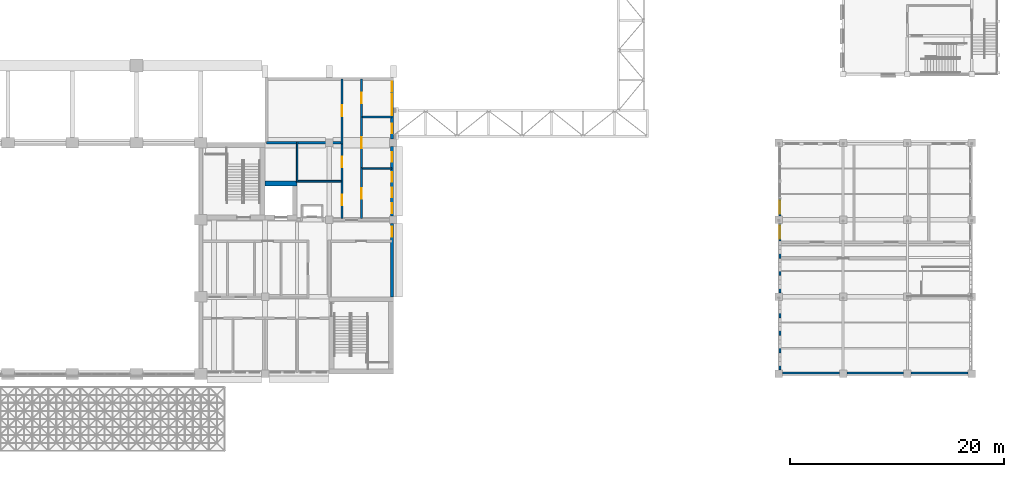
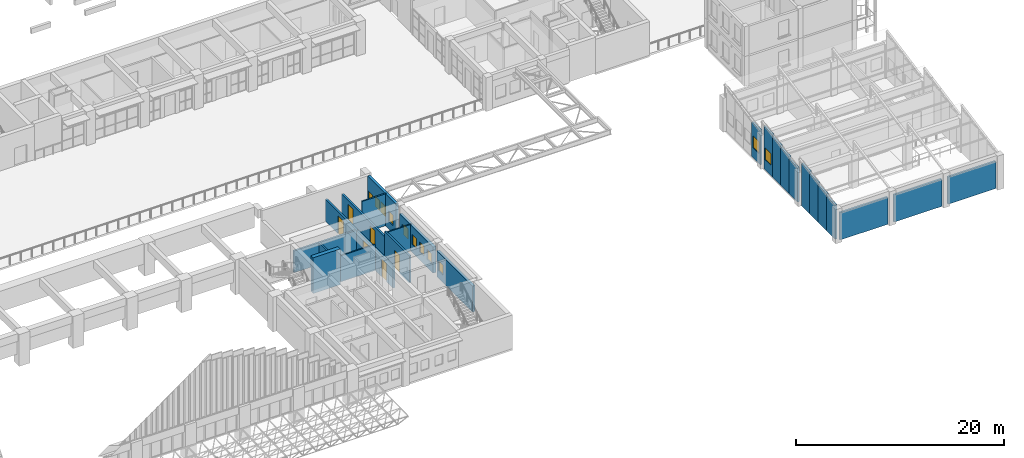
# One storey, part 68 of 103: 26 walls, 11 windows, 6 doors, 17 openings.
"""IFC4 building model written with IfcOpenShell, lengths in metres."""

import ifcopenshell
import ifcopenshell.guid

model = None  # the IFC model being written
_history = None  # IfcOwnerHistory: only IFC2X3 demands one
_inside = {}  # id of a spatial element -> (the spatial element, [elements in it])
_under = {}  # id of a project, library or spatial element -> (it, [spatial elements below it])
_declared = {}  # id of a project -> (the project, [libraries it declares])
_typed = {}  # id of a type object -> (the type object, [elements of that type])
_made_of = {}  # id of a material, layer set ... -> (it, [elements and type objects made of it])


def new_model(schema):
    """Start an empty IFC model of exactly this schema.

    Asked for "IFC4X3", IfcOpenShell would pick the latest addendum, in which some entities
    have other attributes; the version numbers below select the first issue.
    IFC2X3 requires an IfcOwnerHistory on every rooted entity: one is made here for all.
    """
    global model, _history
    if schema == "IFC4X3":
        model = ifcopenshell.file(schema_version=(4, 3, 0, 0))
    else:
        model = ifcopenshell.file(schema=schema)
    _inside.clear()
    _under.clear()
    _declared.clear()
    _typed.clear()
    _made_of.clear()
    _history = None
    if model.schema == "IFC2X3":
        org = make("IfcOrganization", Name="unknown")
        user = make(
            "IfcPersonAndOrganization",
            ThePerson=make("IfcPerson", FamilyName="unknown"),
            TheOrganization=org,
        )
        app = make(
            "IfcApplication",
            ApplicationDeveloper=org,
            Version="unknown",
            ApplicationFullName="unknown",
            ApplicationIdentifier="unknown",
        )
        _history = make(
            "IfcOwnerHistory",
            OwningUser=user,
            OwningApplication=app,
            ChangeAction="ADDED",
            CreationDate=0,
        )
    return model


def make(cls, **values):
    """One entity of the class cls with the attributes given. An attribute that is None is left unset."""
    return model.create_entity(
        cls, **{name: value for name, value in values.items() if value is not None}
    )


def rooted(cls, **values):
    """An entity with a GlobalId (a new one), such as an element, a storey or a relation."""
    return make(cls, GlobalId=ifcopenshell.guid.new(), OwnerHistory=_history, **values)


def si_unit(unit_type, name, prefix=None):
    """IfcSIUnit, for example si_unit("LENGTHUNIT", "METRE", prefix="MILLI")."""
    return make("IfcSIUnit", UnitType=unit_type, Prefix=prefix, Name=name)


def assignment(units):
    """IfcUnitAssignment: the units of a project."""
    return None if units is None else make("IfcUnitAssignment", Units=units)


def point(xyz):
    """IfcCartesianPoint."""
    return None if xyz is None else make("IfcCartesianPoint", Coordinates=xyz)


def direction(xyz):
    """IfcDirection."""
    return None if xyz is None else make("IfcDirection", DirectionRatios=xyz)


def frame(location, z_axis=None, x_axis=None):
    """IfcAxis2Placement3D, a coordinate frame: its origin and axes. An axis left out is left unset."""
    return make(
        "IfcAxis2Placement3D",
        Location=point(location),
        Axis=direction(z_axis),
        RefDirection=direction(x_axis),
    )


def frame_2d(location, x_axis=None):
    """IfcAxis2Placement2D, a coordinate frame in the plane: its origin and x axis."""
    return make(
        "IfcAxis2Placement2D", Location=point(location), RefDirection=direction(x_axis)
    )


def origin():
    """The frame at (0, 0, 0) with its axes left unset."""
    return frame((0.0, 0.0, 0.0))


def place(relative_to, where):
    """IfcLocalPlacement: puts the frame where relative to a parent placement (None: the world)."""
    return make(
        "IfcLocalPlacement", PlacementRelTo=relative_to, RelativePlacement=where
    )


def context(
    kind, dimensions, precision=None, world=None, true_north=None, identifier=None
):
    """IfcGeometricRepresentationContext, for example the 3D "Model" context."""
    return make(
        "IfcGeometricRepresentationContext",
        ContextIdentifier=identifier,
        ContextType=kind,
        CoordinateSpaceDimension=dimensions,
        Precision=precision,
        WorldCoordinateSystem=world,
        TrueNorth=true_north,
    )


def subcontext(parent, identifier, kind, view, scale=None):
    """IfcGeometricRepresentationSubContext, for example "Body" below "Model"."""
    return make(
        "IfcGeometricRepresentationSubContext",
        ContextIdentifier=identifier,
        ContextType=kind,
        ParentContext=parent,
        TargetScale=scale,
        TargetView=view,
    )


def project(units=None, contexts=None):
    """IfcProject with its units and contexts."""
    return rooted(
        "IfcProject",
        Name="project",
        RepresentationContexts=contexts,
        UnitsInContext=assignment(units),
    )


def spatial(cls, under=None, at=None, **own):
    """A site, building, storey or space (cls), placed at a placement, below another one or the project."""
    s = rooted(cls, ObjectPlacement=at, **own)
    if under is not None:
        _under.setdefault(under.id(), (under, []))[1].append(s)
    return s


def profile(cls, at=None, kind="AREA", **sizes):
    """A parametric profile (cls). Its sizes go by their IFC names, for example OverallWidth=200.0."""
    return make(cls, ProfileType=kind, Position=at, **sizes)


def rectangle(**sizes):
    """IfcRectangleProfileDef."""
    return profile("IfcRectangleProfileDef", **sizes)


def extrude(swept, where, along, depth):
    """IfcExtrudedAreaSolid: the profile swept, set in the frame where, extruded along a direction by depth."""
    return make(
        "IfcExtrudedAreaSolid",
        SweptArea=swept,
        Position=where,
        ExtrudedDirection=direction(along),
        Depth=depth,
    )


def shape(context_of_items, identifier, shape_type, items):
    """IfcShapeRepresentation: the items that make up one representation, for example the "Body"."""
    return make(
        "IfcShapeRepresentation",
        ContextOfItems=context_of_items,
        RepresentationIdentifier=identifier,
        RepresentationType=shape_type,
        Items=items,
    )


def material(Name=None, Category=None):
    """IfcMaterial."""
    return make("IfcMaterial", Name=Name, Category=Category)


def layer(
    of_material, thickness, ventilated=None, Name=None, Category=None, Priority=None
):
    """IfcMaterialLayer: one layer of a wall or slab, of a material (None: an air gap)."""
    return make(
        "IfcMaterialLayer",
        Material=of_material,
        LayerThickness=thickness,
        IsVentilated=ventilated,
        Name=Name,
        Category=Category,
        Priority=Priority,
    )


def layer_set(layers, Name=None):
    """IfcMaterialLayerSet."""
    return make("IfcMaterialLayerSet", MaterialLayers=layers, LayerSetName=Name)


def made_of(thing, what):
    """Note that an element or type object is made of a material, layer set ...; save() writes the relation."""
    if what is not None:
        _made_of.setdefault(what.id(), (what, []))[1].append(thing)
    return thing


def type_object(cls, material=None, **own):
    """A type object (cls), such as IfcWallType, which elements share."""
    return made_of(rooted(cls, **own), material)


def element(
    cls,
    number,
    at=None,
    inside=None,
    cuts=None,
    type_object=None,
    material=None,
    context=None,
    identifier="Body",
    shape_type=None,
    held_by="IfcProductDefinitionShape",
    body=None,
    shapes=None,
    **own,
):
    """One element of the class cls, such as IfcWall. Its Tag is "e" and its number.

    at: its placement. inside: the storey or other place that contains it. cuts: it is an
    opening in that element (IfcRelVoidsElement). A single representation is given by context,
    identifier, shape_type and body (its items); several are given by shapes. held_by: the class
    of the entity that holds the representations. save() writes the other relations.
    """
    e = rooted(cls, Tag="e%d" % number, ObjectPlacement=at, **own)
    if body is not None:
        shapes = [shape(context, identifier, shape_type, body)]
    if shapes is not None:
        e.Representation = make(held_by, Representations=shapes)
    if inside is not None:
        _inside.setdefault(inside.id(), (inside, []))[1].append(e)
    if cuts is not None:
        rooted(
            "IfcRelVoidsElement", RelatingBuildingElement=cuts, RelatedOpeningElement=e
        )
    if type_object is not None:
        _typed.setdefault(type_object.id(), (type_object, []))[1].append(e)
    return made_of(e, material)


def fill(opening, filler):
    """IfcRelFillsElement: the door or window that sits in an opening."""
    return rooted(
        "IfcRelFillsElement",
        RelatingOpeningElement=opening,
        RelatedBuildingElement=filler,
    )


def aggregate(whole, parts):
    """IfcRelAggregates: a whole, such as a stair, and the parts it consists of."""
    return rooted("IfcRelAggregates", RelatingObject=whole, RelatedObjects=parts)


def save(model, path):
    """Write the relations noted so far, then the file.

    IfcRelAggregates (storeys below a building ...), IfcRelContainedInSpatialStructure (elements
    in a storey), IfcRelDefinesByType, IfcRelAssociatesMaterial and IfcRelDeclares: one each for
    every whole, place, type object, material and project.
    """
    for whole, parts in _under.values():
        aggregate(whole, parts)
    for where, things in _inside.values():
        rooted(
            "IfcRelContainedInSpatialStructure",
            RelatedElements=things,
            RelatingStructure=where,
        )
    for kind, things in _typed.values():
        rooted("IfcRelDefinesByType", RelatedObjects=things, RelatingType=kind)
    for what, things in _made_of.values():
        rooted("IfcRelAssociatesMaterial", RelatedObjects=things, RelatingMaterial=what)
    for by, libraries in _declared.values():
        rooted("IfcRelDeclares", RelatingContext=by, RelatedDefinitions=libraries)
    model.write(path)


model = new_model("IFC4")

# Units and contexts
model_context = context("Model", 3, precision=1e-05, world=origin(), true_north=direction((0.0, 1.0)))
body_context = subcontext(model_context, "Body", "Model", "MODEL_VIEW")
ifc_project = project(units=[si_unit("LENGTHUNIT", "METRE"), si_unit("AREAUNIT", "SQUARE_METRE"), si_unit("VOLUMEUNIT", "CUBIC_METRE"), si_unit("PLANEANGLEUNIT", "RADIAN"), si_unit("MASSUNIT", "GRAM", prefix="KILO")], contexts=[model_context])

# Site, building, storey
site_placement = place(None, origin())
site = spatial("IfcSite", under=ifc_project, at=site_placement, CompositionType="ELEMENT")
building_placement = place(site_placement, origin())
building = spatial("IfcBuilding", under=site, at=building_placement, Name="Laocheng Heights Fire and Rescue Headquarters", CompositionType="ELEMENT")
storey_placement = place(building_placement, frame((0.0, 0.0, 4.199951171875)))
storey = spatial("IfcBuildingStorey", under=building, at=storey_placement, Name="L01", CompositionType="ELEMENT", Elevation=4.199951171875)

# Wall, openings, doors
ifc_material_1 = material(Name="Gypsum plaster")
ifc_layer_1 = layer(ifc_material_1, 0.010009765625, Name="PLASTER", Category="plaster")
ifc_material_2 = material(Name="Concrete blockwork MU10", Category="masonry")
ifc_layer_2 = layer(ifc_material_2, 0.179931640625, Name="BLOCKWORK", Category="masonry")
ifc_layer_3 = layer(ifc_material_1, 0.010009765625, Name="PLASTER", Category="plaster")
ifc_layer_set_1 = layer_set([ifc_layer_1, ifc_layer_2, ifc_layer_3], Name="Concrete blockwork MU10")
wall_type_1 = type_object("IfcWallType", Name="BLOCKWORK FIRE PARTITION 200 EI 60 BAY", PredefinedType="PARTITIONING", material=ifc_layer_set_1)
wall_1_placement = place(storey_placement, frame((67.199951171875, 14.5, 0.0), z_axis=(0.0, 0.0, 1.0), x_axis=(0.0, 1.0, 0.0)))
wall_1 = element("IfcWall", 1, at=wall_1_placement, inside=storey, type_object=wall_type_1, Name="Partition L01-023", PredefinedType="PARTITIONING", context=body_context, shape_type="SweptSolid", body=[
    extrude(rectangle(XDim=7.199951171875, YDim=0.199951171875, at=frame_2d((3.60009765625, 0.0))), origin(), (0.0, 0.0, 1.0), 2.550048828125),
])
opening_1_placement = place(wall_1_placement, frame((1.25, 0.0, 0.0)))
opening_1 = element("IfcOpeningElement", 2, at=opening_1_placement, cuts=wall_1, Name="Opening L01-I07", PredefinedType="OPENING", context=body_context, shape_type="SweptSolid", body=[
    extrude(rectangle(XDim=1.0, YDim=2.10009765625, at=frame_2d((0.5, 1.050048828125))), frame((0.0, 0.10986328125, 0.0), z_axis=(0.0, -1.0, 0.0), x_axis=(1.0, 0.0, 0.0)), (0.0, 0.0, 1.0), 0.219970703125),
])
opening_2_placement = place(wall_1_placement, frame((4.800048828125, 0.0, 0.0)))
opening_2 = element("IfcOpeningElement", 3, at=opening_2_placement, cuts=wall_1, Name="Opening L01-I08", PredefinedType="OPENING", context=body_context, shape_type="SweptSolid", body=[
    extrude(rectangle(XDim=1.0, YDim=2.10009765625, at=frame_2d((0.5, 1.050048828125))), frame((0.0, 0.10986328125, 0.0), z_axis=(0.0, -1.0, 0.0), x_axis=(1.0, 0.0, 0.0)), (0.0, 0.0, 1.0), 0.219970703125),
])
ifc_material_3 = material(Name="Steel door leaf, painted", Category="steel")
door_type = type_object("IfcDoorType", Name="STEEL FIRE DOOR 1000x2100 EI 60 BAY", OperationType="SINGLE_SWING_LEFT", PredefinedType="DOOR", material=ifc_material_3)
door_1_placement = place(opening_1_placement, origin())
door_1 = element("IfcDoor", 4, at=door_1_placement, inside=storey, type_object=door_type, Name="Door L01-I07", OperationType="SINGLE_SWING_RIGHT", OverallHeight=2.10009765625, OverallWidth=1.0, PredefinedType="DOOR", context=body_context, shape_type="SweptSolid", body=[
    extrude(rectangle(XDim=1.0, YDim=2.10009765625, at=frame_2d((0.5, 1.050048828125))), frame((0.0, 0.02490234375, 0.0), z_axis=(0.0, -1.0, 0.0), x_axis=(1.0, 0.0, 0.0)), (0.0, 0.0, 1.0), 0.050048828125),
])
fill(opening_1, door_1)
door_2_placement = place(opening_2_placement, origin())
door_2 = element("IfcDoor", 5, at=door_2_placement, inside=storey, type_object=door_type, Name="Door L01-I08", OperationType="SINGLE_SWING_RIGHT", OverallHeight=2.10009765625, OverallWidth=1.0, PredefinedType="DOOR", context=body_context, shape_type="SweptSolid", body=[
    extrude(rectangle(XDim=1.0, YDim=2.10009765625, at=frame_2d((0.5, 1.050048828125))), frame((0.0, 0.02490234375, 0.0), z_axis=(0.0, -1.0, 0.0), x_axis=(1.0, 0.0, 0.0)), (0.0, 0.0, 1.0), 0.050048828125),
])
fill(opening_2, door_2)

# Wall, opening, door
wall_2_placement = place(storey_placement, frame((67.199951171875, 21.5, 0.0), z_axis=(0.0, 0.0, 1.0), x_axis=(0.0, 1.0, 0.0)))
wall_2 = element("IfcWall", 6, at=wall_2_placement, inside=storey, type_object=wall_type_1, Name="Partition L01-024", PredefinedType="PARTITIONING", context=body_context, shape_type="SweptSolid", body=[
    extrude(rectangle(XDim=6.050048828125, YDim=0.199951171875, at=frame_2d((3.02490234375, 0.0))), origin(), (0.0, 0.0, 1.0), 2.550048828125),
])
opening_3_placement = place(wall_2_placement, frame((2.574951171875, 0.0, 0.0)))
opening_3 = element("IfcOpeningElement", 7, at=opening_3_placement, cuts=wall_2, Name="Opening L01-I13", PredefinedType="OPENING", context=body_context, shape_type="SweptSolid", body=[
    extrude(rectangle(XDim=1.0, YDim=2.10009765625, at=frame_2d((0.5, 1.050048828125))), frame((0.0, 0.10986328125, 0.0), z_axis=(0.0, -1.0, 0.0), x_axis=(1.0, 0.0, 0.0)), (0.0, 0.0, 1.0), 0.219970703125),
])
door_3_placement = place(opening_3_placement, origin())
door_3 = element("IfcDoor", 8, at=door_3_placement, inside=storey, type_object=door_type, Name="Door L01-I13", OperationType="SINGLE_SWING_RIGHT", OverallHeight=2.10009765625, OverallWidth=1.0, PredefinedType="DOOR", context=body_context, shape_type="SweptSolid", body=[
    extrude(rectangle(XDim=1.0, YDim=2.10009765625, at=frame_2d((0.5, 1.050048828125))), frame((0.0, 0.02490234375, 0.0), z_axis=(0.0, -1.0, 0.0), x_axis=(1.0, 0.0, 0.0)), (0.0, 0.0, 1.0), 0.050048828125),
])
fill(opening_3, door_3)

wall_3_placement = place(storey_placement, frame((69.0, 14.5, 0.0), z_axis=(0.0, 0.0, 1.0), x_axis=(0.0, 1.0, 0.0)))
wall_3 = element("IfcWall", 9, at=wall_3_placement, inside=storey, type_object=wall_type_1, Name="Partition L01-025", PredefinedType="PARTITIONING", context=body_context, shape_type="SweptSolid", body=[
    extrude(rectangle(XDim=4.77490234375, YDim=0.199951171875, at=frame_2d((2.387451171875, 0.0))), origin(), (0.0, 0.0, 1.0), 3.150146484375),
])
opening_4_placement = place(wall_3_placement, frame((1.85009765625, 0.0, 0.0)))
opening_4 = element("IfcOpeningElement", 10, at=opening_4_placement, cuts=wall_3, Name="Opening L01-I09", PredefinedType="OPENING", context=body_context, shape_type="SweptSolid", body=[
    extrude(rectangle(XDim=1.0, YDim=2.10009765625, at=frame_2d((0.5, 1.050048828125))), frame((0.0, 0.10986328125, 0.0), z_axis=(0.0, -1.0, 0.0), x_axis=(1.0, 0.0, 0.0)), (0.0, 0.0, 1.0), 0.219970703125),
])
door_4_placement = place(opening_4_placement, frame((1.0, 0.0, 0.0), z_axis=(0.0, 0.0, 1.0), x_axis=(-1.0, 0.0, 0.0)))
door_4 = element("IfcDoor", 11, at=door_4_placement, inside=storey, type_object=door_type, Name="Door L01-I09", OperationType="SINGLE_SWING_LEFT", OverallHeight=2.10009765625, OverallWidth=1.0, PredefinedType="DOOR", context=body_context, shape_type="SweptSolid", body=[
    extrude(rectangle(XDim=1.0, YDim=2.10009765625, at=frame_2d((0.5, 1.050048828125))), frame((0.0, 0.02490234375, 0.0), z_axis=(0.0, -1.0, 0.0), x_axis=(1.0, 0.0, 0.0)), (0.0, 0.0, 1.0), 0.050048828125),
])
fill(opening_4, door_4)

# Wall, openings, doors
wall_4_placement = place(storey_placement, frame((69.0, 19.125, 0.0), z_axis=(0.0, 0.0, 1.0), x_axis=(0.0, 1.0, 0.0)))
wall_4 = element("IfcWall", 12, at=wall_4_placement, inside=storey, type_object=wall_type_1, Name="Partition L01-026", PredefinedType="PARTITIONING", context=body_context, shape_type="SweptSolid", body=[
    extrude(rectangle(XDim=8.425048828125, YDim=0.199951171875, at=frame_2d((4.21240234375, 0.0))), origin(), (0.0, 0.0, 1.0), 2.550048828125),
])
opening_5_placement = place(wall_4_placement, frame((1.97509765625, 0.0, 0.0)))
opening_5 = element("IfcOpeningElement", 13, at=opening_5_placement, cuts=wall_4, Name="Opening L01-I10", PredefinedType="OPENING", context=body_context, shape_type="SweptSolid", body=[
    extrude(rectangle(XDim=1.0, YDim=2.10009765625, at=frame_2d((0.5, 1.050048828125))), frame((0.0, 0.10986328125, 0.0), z_axis=(0.0, -1.0, 0.0), x_axis=(1.0, 0.0, 0.0)), (0.0, 0.0, 1.0), 0.219970703125),
])
opening_6_placement = place(wall_4_placement, frame((6.14990234375, 0.0, 0.0)))
opening_6 = element("IfcOpeningElement", 14, at=opening_6_placement, cuts=wall_4, Name="Opening L01-I11", PredefinedType="OPENING", context=body_context, shape_type="SweptSolid", body=[
    extrude(rectangle(XDim=1.0, YDim=2.10009765625, at=frame_2d((0.5, 1.050048828125))), frame((0.0, 0.10986328125, 0.0), z_axis=(0.0, -1.0, 0.0), x_axis=(1.0, 0.0, 0.0)), (0.0, 0.0, 1.0), 0.219970703125),
])
door_5_placement = place(opening_5_placement, frame((1.0, 0.0, 0.0), z_axis=(0.0, 0.0, 1.0), x_axis=(-1.0, 0.0, 0.0)))
door_5 = element("IfcDoor", 15, at=door_5_placement, inside=storey, type_object=door_type, Name="Door L01-I10", OperationType="SINGLE_SWING_LEFT", OverallHeight=2.10009765625, OverallWidth=1.0, PredefinedType="DOOR", context=body_context, shape_type="SweptSolid", body=[
    extrude(rectangle(XDim=1.0, YDim=2.10009765625, at=frame_2d((0.5, 1.050048828125))), frame((0.0, 0.02490234375, 0.0), z_axis=(0.0, -1.0, 0.0), x_axis=(1.0, 0.0, 0.0)), (0.0, 0.0, 1.0), 0.050048828125),
])
fill(opening_5, door_5)
door_6_placement = place(opening_6_placement, frame((1.0, 0.0, 0.0), z_axis=(0.0, 0.0, 1.0), x_axis=(-1.0, 0.0, 0.0)))
door_6 = element("IfcDoor", 16, at=door_6_placement, inside=storey, type_object=door_type, Name="Door L01-I11", OperationType="SINGLE_SWING_LEFT", OverallHeight=2.10009765625, OverallWidth=1.0, PredefinedType="DOOR", context=body_context, shape_type="SweptSolid", body=[
    extrude(rectangle(XDim=1.0, YDim=2.10009765625, at=frame_2d((0.5, 1.050048828125))), frame((0.0, 0.02490234375, 0.0), z_axis=(0.0, -1.0, 0.0), x_axis=(1.0, 0.0, 0.0)), (0.0, 0.0, 1.0), 0.050048828125),
])
fill(opening_6, door_6)

# Walls
wall_5_placement = place(storey_placement, frame((60.14990234375, 21.60009765625, 0.0), z_axis=(0.0, 0.0, 1.0), x_axis=(1.0, 0.0, 0.0)))
element("IfcWall", 17, at=wall_5_placement, inside=storey, type_object=wall_type_1, Name="Partition L01-043", PredefinedType="PARTITIONING", context=body_context, shape_type="SweptSolid", body=[
    extrude(rectangle(XDim=2.775146484375, YDim=0.199951171875, at=frame_2d((1.3876953125, 0.0))), origin(), (0.0, 0.0, 1.0), 2.550048828125),
])
wall_6_placement = place(storey_placement, frame((63.074951171875, 21.60009765625, 0.0), z_axis=(0.0, 0.0, 1.0), x_axis=(1.0, 0.0, 0.0)))
element("IfcWall", 18, at=wall_6_placement, inside=storey, type_object=wall_type_1, Name="Partition L01-044", PredefinedType="PARTITIONING", context=body_context, shape_type="SweptSolid", body=[
    extrude(rectangle(XDim=4.025146484375, YDim=0.199951171875, at=frame_2d((2.0126953125, 0.0))), origin(), (0.0, 0.0, 1.0), 2.550048828125),
])
ifc_material_4 = material(Name="Gypsum plaster")
ifc_layer_4 = layer(ifc_material_4, 0.010009765625, Name="PLASTER", Category="plaster")
ifc_material_5 = material(Name="Concrete blockwork MU10", Category="masonry")
ifc_layer_5 = layer(ifc_material_5, 0.1298828125, Name="BLOCKWORK", Category="masonry")
ifc_layer_6 = layer(ifc_material_4, 0.010009765625, Name="PLASTER", Category="plaster")
ifc_layer_set_2 = layer_set([ifc_layer_4, ifc_layer_5, ifc_layer_6], Name="Concrete blockwork MU10")
wall_type_2 = type_object("IfcWallType", Name="BLOCKWORK PARTITION 150 EI 45 BAY", PredefinedType="PARTITIONING", material=ifc_layer_set_2)
wall_7_placement = place(storey_placement, frame((63.0, 17.925048828125, 0.0), z_axis=(0.0, 0.0, 1.0), x_axis=(0.0, 1.0, 0.0)))
element("IfcWall", 19, at=wall_7_placement, inside=storey, type_object=wall_type_2, Name="Partition L01-018", PredefinedType="PARTITIONING", context=body_context, shape_type="SweptSolid", body=[
    extrude(rectangle(XDim=3.77490234375, YDim=0.14990234375, at=frame_2d((1.887451171875, 0.0))), origin(), (0.0, 0.0, 1.0), 2.550048828125),
])
wall_8_placement = place(storey_placement, frame((63.0, 18.0, 0.0), z_axis=(0.0, 0.0, 1.0), x_axis=(1.0, 0.0, 0.0)))
element("IfcWall", 20, at=wall_8_placement, inside=storey, type_object=wall_type_2, Name="Partition L01-040", PredefinedType="PARTITIONING", context=body_context, shape_type="SweptSolid", body=[
    extrude(rectangle(XDim=4.10009765625, YDim=0.14990234375, at=frame_2d((2.050048828125, 0.0))), origin(), (0.0, 0.0, 1.0), 3.050048828125),
])
wall_9_placement = place(storey_placement, frame((69.10009765625, 19.199951171875, 0.0), z_axis=(0.0, 0.0, 1.0), x_axis=(1.0, 0.0, 0.0)))
element("IfcWall", 21, at=wall_9_placement, inside=storey, type_object=wall_type_2, Name="Partition L01-042", PredefinedType="PARTITIONING", context=body_context, shape_type="SweptSolid", body=[
    extrude(rectangle(XDim=2.75, YDim=0.14990234375, at=frame_2d((1.375, 0.0))), origin(), (0.0, 0.0, 1.0), 3.050048828125),
])
wall_10_placement = place(storey_placement, frame((69.10009765625, 24.0, 0.0), z_axis=(0.0, 0.0, 1.0), x_axis=(1.0, 0.0, 0.0)))
element("IfcWall", 22, at=wall_10_placement, inside=storey, type_object=wall_type_2, Name="Partition L01-045", PredefinedType="PARTITIONING", context=body_context, shape_type="SweptSolid", body=[
    extrude(rectangle(XDim=2.75, YDim=0.14990234375, at=frame_2d((1.375, 0.0))), origin(), (0.0, 0.0, 1.0), 3.75),
])

# Wall, opening, window
ifc_material_6 = material(Name="Precast concrete C40/50", Category="concrete")
ifc_layer_7 = layer(ifc_material_6, 0.300048828125)
ifc_layer_set_3 = layer_set([ifc_layer_7], Name="Precast concrete C40/50")
wall_type_3 = type_object("IfcWallType", Name="PRECAST PANEL WALL 300 EAST FLANK", PredefinedType="SOLIDWALL", material=ifc_layer_set_3)
wall_11_placement = place(storey_placement, frame((71.85009765625, 7.199951171875, 0.0), z_axis=(0.0, 0.0, 1.0), x_axis=(0.0, 1.0, 0.0)))
wall_11 = element("IfcWall", 23, at=wall_11_placement, inside=storey, type_object=wall_type_3, Name="Flank E wall L01", PredefinedType="SOLIDWALL", context=body_context, shape_type="SweptSolid", body=[
    extrude(rectangle(XDim=6.85009765625, YDim=0.300048828125, at=frame_2d((3.425048828125, 0.0))), origin(), (0.0, 0.0, 1.0), 3.050048828125),
])
opening_7_placement = place(wall_11_placement, frame((5.635009765625, 0.0, 0.89990234375)))
opening_7 = element("IfcOpeningElement", 24, at=opening_7_placement, cuts=wall_11, Name="Opening N2-E", PredefinedType="OPENING", context=body_context, shape_type="SweptSolid", body=[
    extrude(rectangle(XDim=0.89990234375, YDim=1.199951171875, at=frame_2d((0.449951171875, 0.60009765625))), frame((0.0, 0.159912109375, 0.0), z_axis=(0.0, -1.0, 0.0), x_axis=(1.0, 0.0, 0.0)), (0.0, 0.0, 1.0), 0.320068359375),
])
ifc_material_7 = material(Name="Low-e double glazing in thermally broken aluminium frame", Category="aluminium")
window_type_1 = type_object("IfcWindowType", Name="PUNCHED WINDOW STEEL FRAME 900 x 1200 SILL 900", PartitioningType="SINGLE_PANEL", PredefinedType="WINDOW", material=ifc_material_7)
window_1_placement = place(opening_7_placement, origin())
window_1 = element("IfcWindow", 25, at=window_1_placement, inside=storey, type_object=window_type_1, Name="Flank_E window L01", OverallHeight=1.199951171875, OverallWidth=0.89990234375, PartitioningType="SINGLE_PANEL", PredefinedType="WINDOW", context=body_context, shape_type="SweptSolid", body=[
    extrude(rectangle(XDim=0.89990234375, YDim=1.199951171875, at=frame_2d((0.449951171875, 0.60009765625))), frame((0.0, 0.030029296875, 0.0), z_axis=(0.0, -1.0, 0.0), x_axis=(1.0, 0.0, 0.0)), (0.0, 0.0, 1.0), 0.06005859375),
])
fill(opening_7, window_1)

# Wall, openings, windows
wall_12_placement = place(storey_placement, frame((71.85009765625, 14.75, 0.0), z_axis=(0.0, 0.0, 1.0), x_axis=(0.0, 1.0, 0.0)))
wall_12 = element("IfcWall", 26, at=wall_12_placement, inside=storey, type_object=wall_type_3, Name="Flank E wall L01", PredefinedType="SOLIDWALL", context=body_context, shape_type="SweptSolid", body=[
    extrude(rectangle(XDim=6.5, YDim=0.300048828125, at=frame_2d((3.25, 0.0))), origin(), (0.0, 0.0, 1.0), 3.050048828125),
])
opening_8_placement = place(wall_12_placement, frame((0.279296875, 0.0, 0.89990234375)))
opening_8 = element("IfcOpeningElement", 27, at=opening_8_placement, cuts=wall_12, Name="Opening N2-E", PredefinedType="OPENING", context=body_context, shape_type="SweptSolid", body=[
    extrude(rectangle(XDim=0.89990234375, YDim=1.199951171875, at=frame_2d((0.449951171875, 0.60009765625))), frame((0.0, 0.159912109375, 0.0), z_axis=(0.0, -1.0, 0.0), x_axis=(1.0, 0.0, 0.0)), (0.0, 0.0, 1.0), 0.320068359375),
])
opening_9_placement = place(wall_12_placement, frame((1.737548828125, 0.0, 0.89990234375)))
opening_9 = element("IfcOpeningElement", 28, at=opening_9_placement, cuts=wall_12, Name="Opening N2-E", PredefinedType="OPENING", context=body_context, shape_type="SweptSolid", body=[
    extrude(rectangle(XDim=0.89990234375, YDim=1.199951171875, at=frame_2d((0.449951171875, 0.60009765625))), frame((0.0, 0.159912109375, 0.0), z_axis=(0.0, -1.0, 0.0), x_axis=(1.0, 0.0, 0.0)), (0.0, 0.0, 1.0), 0.320068359375),
])
opening_10_placement = place(wall_12_placement, frame((3.19580078125, 0.0, 0.89990234375)))
opening_10 = element("IfcOpeningElement", 29, at=opening_10_placement, cuts=wall_12, Name="Opening N2-E", PredefinedType="OPENING", context=body_context, shape_type="SweptSolid", body=[
    extrude(rectangle(XDim=0.89990234375, YDim=1.199951171875, at=frame_2d((0.449951171875, 0.60009765625))), frame((0.0, 0.159912109375, 0.0), z_axis=(0.0, -1.0, 0.0), x_axis=(1.0, 0.0, 0.0)), (0.0, 0.0, 1.0), 0.320068359375),
])
opening_11_placement = place(wall_12_placement, frame((5.0625, 0.0, 0.89990234375)))
opening_11 = element("IfcOpeningElement", 30, at=opening_11_placement, cuts=wall_12, Name="Opening N2-E", PredefinedType="OPENING", context=body_context, shape_type="SweptSolid", body=[
    extrude(rectangle(XDim=0.89990234375, YDim=1.199951171875, at=frame_2d((0.449951171875, 0.60009765625))), frame((0.0, 0.159912109375, 0.0), z_axis=(0.0, -1.0, 0.0), x_axis=(1.0, 0.0, 0.0)), (0.0, 0.0, 1.0), 0.320068359375),
])
window_2_placement = place(opening_8_placement, origin())
window_2 = element("IfcWindow", 31, at=window_2_placement, inside=storey, type_object=window_type_1, Name="Flank_E window L01", OverallHeight=1.199951171875, OverallWidth=0.89990234375, PartitioningType="SINGLE_PANEL", PredefinedType="WINDOW", context=body_context, shape_type="SweptSolid", body=[
    extrude(rectangle(XDim=0.89990234375, YDim=1.199951171875, at=frame_2d((0.449951171875, 0.60009765625))), frame((0.0, 0.030029296875, 0.0), z_axis=(0.0, -1.0, 0.0), x_axis=(1.0, 0.0, 0.0)), (0.0, 0.0, 1.0), 0.06005859375),
])
fill(opening_8, window_2)
window_3_placement = place(opening_9_placement, origin())
window_3 = element("IfcWindow", 32, at=window_3_placement, inside=storey, type_object=window_type_1, Name="Flank_E window L01", OverallHeight=1.199951171875, OverallWidth=0.89990234375, PartitioningType="SINGLE_PANEL", PredefinedType="WINDOW", context=body_context, shape_type="SweptSolid", body=[
    extrude(rectangle(XDim=0.89990234375, YDim=1.199951171875, at=frame_2d((0.449951171875, 0.60009765625))), frame((0.0, 0.030029296875, 0.0), z_axis=(0.0, -1.0, 0.0), x_axis=(1.0, 0.0, 0.0)), (0.0, 0.0, 1.0), 0.06005859375),
])
fill(opening_9, window_3)
window_4_placement = place(opening_10_placement, origin())
window_4 = element("IfcWindow", 33, at=window_4_placement, inside=storey, type_object=window_type_1, Name="Flank_E window L01", OverallHeight=1.199951171875, OverallWidth=0.89990234375, PartitioningType="SINGLE_PANEL", PredefinedType="WINDOW", context=body_context, shape_type="SweptSolid", body=[
    extrude(rectangle(XDim=0.89990234375, YDim=1.199951171875, at=frame_2d((0.449951171875, 0.60009765625))), frame((0.0, 0.030029296875, 0.0), z_axis=(0.0, -1.0, 0.0), x_axis=(1.0, 0.0, 0.0)), (0.0, 0.0, 1.0), 0.06005859375),
])
fill(opening_10, window_4)
window_5_placement = place(opening_11_placement, origin())
window_5 = element("IfcWindow", 34, at=window_5_placement, inside=storey, type_object=window_type_1, Name="Flank_E window L01", OverallHeight=1.199951171875, OverallWidth=0.89990234375, PartitioningType="SINGLE_PANEL", PredefinedType="WINDOW", context=body_context, shape_type="SweptSolid", body=[
    extrude(rectangle(XDim=0.89990234375, YDim=1.199951171875, at=frame_2d((0.449951171875, 0.60009765625))), frame((0.0, 0.030029296875, 0.0), z_axis=(0.0, -1.0, 0.0), x_axis=(1.0, 0.0, 0.0)), (0.0, 0.0, 1.0), 0.06005859375),
])
fill(opening_11, window_5)

ifc_material_8 = material(Name="Cast stone cladding", Category="masonry")
ifc_layer_8 = layer(ifc_material_8, 0.0400390625, Name="CAST STONE FACING", Category="face")
ifc_material_9 = material(Name="Mineral wool insulation board")
ifc_layer_9 = layer(ifc_material_9, 0.080078125, Name="CAVITY INSULATION", Category="insulation")
ifc_material_10 = material(Name="Autoclaved aerated concrete A3.5", Category="concrete")
ifc_layer_10 = layer(ifc_material_10, 0.169921875, Name="BLOCKWORK LEAF", Category="masonry")
ifc_material_11 = material(Name="Gypsum plaster")
ifc_layer_11 = layer(ifc_material_11, 0.010009765625, Name="INTERNAL PLASTER", Category="plaster")
ifc_layer_set_4 = layer_set([ifc_layer_8, ifc_layer_9, ifc_layer_10, ifc_layer_11], Name="Precast concrete C40/50")
wall_type_4 = type_object("IfcWallType", Name="PRECAST PLANT WALL 300 ANNEX", PredefinedType="SOLIDWALL", material=ifc_layer_set_4)
wall_13_placement = place(storey_placement, frame((71.85009765625, 21.949951171875, 0.0), z_axis=(0.0, 0.0, 1.0), x_axis=(0.0, 1.0, 0.0)))
wall_13 = element("IfcWall", 35, at=wall_13_placement, inside=storey, type_object=wall_type_4, Name="Annex wall L01", PredefinedType="SOLIDWALL", context=body_context, shape_type="SweptSolid", body=[
    extrude(rectangle(XDim=5.449951171875, YDim=0.300048828125, at=frame_2d((2.72509765625, 0.0))), origin(), (0.0, 0.0, 1.0), 3.75),
])
opening_12_placement = place(wall_13_placement, frame((0.53759765625, 0.0, 0.89990234375)))
opening_12 = element("IfcOpeningElement", 36, at=opening_12_placement, cuts=wall_13, Name="Opening N2-E", PredefinedType="OPENING", context=body_context, shape_type="SweptSolid", body=[
    extrude(rectangle(XDim=0.89990234375, YDim=1.199951171875, at=frame_2d((0.449951171875, 0.60009765625))), frame((0.0, 0.159912109375, 0.0), z_axis=(0.0, -1.0, 0.0), x_axis=(1.0, 0.0, 0.0)), (0.0, 0.0, 1.0), 0.320068359375),
])
opening_13_placement = place(wall_13_placement, frame((2.229248046875, 0.0, 0.89990234375)))
opening_13 = element("IfcOpeningElement", 37, at=opening_13_placement, cuts=wall_13, Name="Opening N2-E", PredefinedType="OPENING", context=body_context, shape_type="SweptSolid", body=[
    extrude(rectangle(XDim=0.89990234375, YDim=1.199951171875, at=frame_2d((0.449951171875, 0.60009765625))), frame((0.0, 0.159912109375, 0.0), z_axis=(0.0, -1.0, 0.0), x_axis=(1.0, 0.0, 0.0)), (0.0, 0.0, 1.0), 0.320068359375),
])
opening_14_placement = place(wall_13_placement, frame((3.33740234375, 0.0, 0.89990234375)))
opening_14 = element("IfcOpeningElement", 38, at=opening_14_placement, cuts=wall_13, Name="Opening N2-E", PredefinedType="OPENING", context=body_context, shape_type="SweptSolid", body=[
    extrude(rectangle(XDim=0.89990234375, YDim=1.199951171875, at=frame_2d((0.449951171875, 0.60009765625))), frame((0.0, 0.159912109375, 0.0), z_axis=(0.0, -1.0, 0.0), x_axis=(1.0, 0.0, 0.0)), (0.0, 0.0, 1.0), 0.320068359375),
])
opening_15_placement = place(wall_13_placement, frame((4.44580078125, 0.0, 0.89990234375)))
opening_15 = element("IfcOpeningElement", 39, at=opening_15_placement, cuts=wall_13, Name="Opening N2-E", PredefinedType="OPENING", context=body_context, shape_type="SweptSolid", body=[
    extrude(rectangle(XDim=0.89990234375, YDim=1.199951171875, at=frame_2d((0.449951171875, 0.60009765625))), frame((0.0, 0.159912109375, 0.0), z_axis=(0.0, -1.0, 0.0), x_axis=(1.0, 0.0, 0.0)), (0.0, 0.0, 1.0), 0.320068359375),
])
window_6_placement = place(opening_12_placement, origin())
window_6 = element("IfcWindow", 40, at=window_6_placement, inside=storey, type_object=window_type_1, Name="Annex window L01", OverallHeight=1.199951171875, OverallWidth=0.89990234375, PartitioningType="SINGLE_PANEL", PredefinedType="WINDOW", context=body_context, shape_type="SweptSolid", body=[
    extrude(rectangle(XDim=0.89990234375, YDim=1.199951171875, at=frame_2d((0.449951171875, 0.60009765625))), frame((0.0, 0.030029296875, 0.0), z_axis=(0.0, -1.0, 0.0), x_axis=(1.0, 0.0, 0.0)), (0.0, 0.0, 1.0), 0.06005859375),
])
fill(opening_12, window_6)
window_7_placement = place(opening_13_placement, origin())
window_7 = element("IfcWindow", 41, at=window_7_placement, inside=storey, type_object=window_type_1, Name="Annex window L01", OverallHeight=1.199951171875, OverallWidth=0.89990234375, PartitioningType="SINGLE_PANEL", PredefinedType="WINDOW", context=body_context, shape_type="SweptSolid", body=[
    extrude(rectangle(XDim=0.89990234375, YDim=1.199951171875, at=frame_2d((0.449951171875, 0.60009765625))), frame((0.0, 0.030029296875, 0.0), z_axis=(0.0, -1.0, 0.0), x_axis=(1.0, 0.0, 0.0)), (0.0, 0.0, 1.0), 0.06005859375),
])
fill(opening_13, window_7)
window_8_placement = place(opening_14_placement, origin())
window_8 = element("IfcWindow", 42, at=window_8_placement, inside=storey, type_object=window_type_1, Name="Annex window L01", OverallHeight=1.199951171875, OverallWidth=0.89990234375, PartitioningType="SINGLE_PANEL", PredefinedType="WINDOW", context=body_context, shape_type="SweptSolid", body=[
    extrude(rectangle(XDim=0.89990234375, YDim=1.199951171875, at=frame_2d((0.449951171875, 0.60009765625))), frame((0.0, 0.030029296875, 0.0), z_axis=(0.0, -1.0, 0.0), x_axis=(1.0, 0.0, 0.0)), (0.0, 0.0, 1.0), 0.06005859375),
])
fill(opening_14, window_8)
window_9_placement = place(opening_15_placement, origin())
window_9 = element("IfcWindow", 43, at=window_9_placement, inside=storey, type_object=window_type_1, Name="Annex window L01", OverallHeight=1.199951171875, OverallWidth=0.89990234375, PartitioningType="SINGLE_PANEL", PredefinedType="WINDOW", context=body_context, shape_type="SweptSolid", body=[
    extrude(rectangle(XDim=0.89990234375, YDim=1.199951171875, at=frame_2d((0.449951171875, 0.60009765625))), frame((0.0, 0.030029296875, 0.0), z_axis=(0.0, -1.0, 0.0), x_axis=(1.0, 0.0, 0.0)), (0.0, 0.0, 1.0), 0.06005859375),
])
fill(opening_15, window_9)

# Walls
ifc_material_12 = material(Name="Aluminium profiled sheet cladding on insulated steel liner", Category="steel")
ifc_layer_12 = layer(ifc_material_12, 0.199951171875)
ifc_layer_set_5 = layer_set([ifc_layer_12], Name="Aluminium profiled sheet cladding on insulated steel liner")
wall_type_5 = type_object("IfcWallType", Name="PROFILED METAL CLAD WALL 200 WORKSHOP", PredefinedType="SOLIDWALL", material=ifc_layer_set_5)
for number, where, z_axis, x_axis, name in (
    (44, (108.35009765625, 0.10009765625, 0.0), (0.0, 0.0, 1.0), (1.0, 0.0, 0.0), "Workshop wall L01"),
    (45, (114.35009765625, 0.10009765625, 0.0), (0.0, 0.0, 1.0), (1.0, 0.0, 0.0), "Workshop wall L01"),
    (46, (120.35009765625, 0.10009765625, 0.0), (0.0, 0.0, 1.0), (1.0, 0.0, 0.0), "Workshop wall L01"),
):
    element("IfcWall", number, at=place(storey_placement, frame(where, z_axis=z_axis, x_axis=x_axis)), inside=storey, type_object=wall_type_5, Name=name, PredefinedType="SOLIDWALL", context=body_context, shape_type="SweptSolid", body=[
        extrude(rectangle(XDim=5.2998046875, YDim=0.199951171875, at=frame_2d((2.64990234375, 0.0))), origin(), (0.0, 0.0, 1.0), 3.203857421875),
    ])
wall_14_placement = place(storey_placement, frame((108.10009765625, 0.35009765625, 0.0), z_axis=(0.0, 0.0, 1.0), x_axis=(0.0, 1.0, 0.0)))
element("IfcWall", 47, at=wall_14_placement, inside=storey, type_object=wall_type_5, Name="Workshop wall L01", PredefinedType="SOLIDWALL", context=body_context, shape_type="SweptSolid", body=[
    extrude(rectangle(XDim=1.625, YDim=0.199951171875, at=frame_2d((0.8125, 0.0))), origin(), (0.0, 0.0, 1.0), 4.059326171875),
])
wall_15_placement = place(storey_placement, frame((108.10009765625, 1.97509765625, 0.0), z_axis=(0.0, 0.0, 1.0), x_axis=(0.0, 1.0, 0.0)))
element("IfcWall", 48, at=wall_15_placement, inside=storey, type_object=wall_type_5, Name="Workshop wall L01", PredefinedType="SOLIDWALL", context=body_context, shape_type="SweptSolid", body=[
    extrude(rectangle(XDim=1.625, YDim=0.199951171875, at=frame_2d((0.8125, 0.0))), origin(), (0.0, 0.0, 1.0), 4.375244140625),
])
wall_16_placement = place(storey_placement, frame((108.10009765625, 3.60009765625, 0.0), z_axis=(0.0, 0.0, 1.0), x_axis=(0.0, 1.0, 0.0)))
element("IfcWall", 49, at=wall_16_placement, inside=storey, type_object=wall_type_5, Name="Workshop wall L01", PredefinedType="SOLIDWALL", context=body_context, shape_type="SweptSolid", body=[
    extrude(rectangle(XDim=1.625, YDim=0.199951171875, at=frame_2d((0.8125, 0.0))), origin(), (0.0, 0.0, 1.0), 4.69140625),
])
wall_17_placement = place(storey_placement, frame((108.10009765625, 5.22509765625, 0.0), z_axis=(0.0, 0.0, 1.0), x_axis=(0.0, 1.0, 0.0)))
element("IfcWall", 50, at=wall_17_placement, inside=storey, type_object=wall_type_5, Name="Workshop wall L01", PredefinedType="SOLIDWALL", context=body_context, shape_type="SweptSolid", body=[
    extrude(rectangle(XDim=1.625, YDim=0.199951171875, at=frame_2d((0.8125, 0.0))), origin(), (0.0, 0.0, 1.0), 5.00732421875),
])
wall_18_placement = place(storey_placement, frame((108.10009765625, 7.550048828125, 0.0), z_axis=(0.0, 0.0, 1.0), x_axis=(0.0, 1.0, 0.0)))
element("IfcWall", 51, at=wall_18_placement, inside=storey, type_object=wall_type_5, Name="Workshop wall L01", PredefinedType="SOLIDWALL", context=body_context, shape_type="SweptSolid", body=[
    extrude(rectangle(XDim=1.625, YDim=0.199951171875, at=frame_2d((0.8125, 0.0))), origin(), (0.0, 0.0, 1.0), 4.059326171875),
])
wall_19_placement = place(storey_placement, frame((108.10009765625, 9.175048828125, 0.0), z_axis=(0.0, 0.0, 1.0), x_axis=(0.0, 1.0, 0.0)))
element("IfcWall", 52, at=wall_19_placement, inside=storey, type_object=wall_type_5, Name="Workshop wall L01", PredefinedType="SOLIDWALL", context=body_context, shape_type="SweptSolid", body=[
    extrude(rectangle(XDim=1.625, YDim=0.199951171875, at=frame_2d((0.8125, 0.0))), origin(), (0.0, 0.0, 1.0), 4.375244140625),
])
wall_20_placement = place(storey_placement, frame((108.10009765625, 10.800048828125, 0.0), z_axis=(0.0, 0.0, 1.0), x_axis=(0.0, 1.0, 0.0)))
element("IfcWall", 53, at=wall_20_placement, inside=storey, type_object=wall_type_5, Name="Workshop wall L01", PredefinedType="SOLIDWALL", context=body_context, shape_type="SweptSolid", body=[
    extrude(rectangle(XDim=1.625, YDim=0.199951171875, at=frame_2d((0.8125, 0.0))), origin(), (0.0, 0.0, 1.0), 4.69140625),
])

# Wall, opening, window
wall_21_placement = place(storey_placement, frame((108.10009765625, 12.425048828125, 0.0), z_axis=(0.0, 0.0, 1.0), x_axis=(0.0, 1.0, 0.0)))
wall_21 = element("IfcWall", 54, at=wall_21_placement, inside=storey, type_object=wall_type_5, Name="Workshop wall L01", PredefinedType="SOLIDWALL", context=body_context, shape_type="SweptSolid", body=[
    extrude(rectangle(XDim=1.625, YDim=0.199951171875, at=frame_2d((0.8125, 0.0))), origin(), (0.0, 0.0, 1.0), 5.00732421875),
])
opening_16_placement = place(wall_21_placement, frame((0.21240234375, 0.0, 1.199951171875)))
opening_16 = element("IfcOpeningElement", 55, at=opening_16_placement, cuts=wall_21, Name="Opening N4-E", PredefinedType="OPENING", context=body_context, shape_type="SweptSolid", body=[
    extrude(rectangle(XDim=1.199951171875, YDim=1.39990234375, at=frame_2d((0.60009765625, 0.699951171875))), frame((0.0, 0.10986328125, 0.0), z_axis=(0.0, -1.0, 0.0), x_axis=(1.0, 0.0, 0.0)), (0.0, 0.0, 1.0), 0.219970703125),
])
ifc_material_13 = material(Name="Low-e double glazing in thermally broken aluminium frame", Category="aluminium")
window_type_2 = type_object("IfcWindowType", Name="CLERESTORY WINDOW 1200 x 1400 SILL 1200", PartitioningType="SINGLE_PANEL", PredefinedType="WINDOW", material=ifc_material_13)
window_10_placement = place(opening_16_placement, origin())
window_10 = element("IfcWindow", 56, at=window_10_placement, inside=storey, type_object=window_type_2, Name="Workshop window L01", OverallHeight=1.39990234375, OverallWidth=1.199951171875, PartitioningType="SINGLE_PANEL", PredefinedType="WINDOW", context=body_context, shape_type="SweptSolid", body=[
    extrude(rectangle(XDim=1.199951171875, YDim=1.39990234375, at=frame_2d((0.60009765625, 0.699951171875))), frame((0.0, 0.030029296875, 0.0), z_axis=(0.0, -1.0, 0.0), x_axis=(1.0, 0.0, 0.0)), (0.0, 0.0, 1.0), 0.06005859375),
])
fill(opening_16, window_10)

wall_22_placement = place(storey_placement, frame((108.10009765625, 14.75, 0.0), z_axis=(0.0, 0.0, 1.0), x_axis=(0.0, 1.0, 0.0)))
wall_22 = element("IfcWall", 57, at=wall_22_placement, inside=storey, type_object=wall_type_5, Name="Workshop wall L01", PredefinedType="SOLIDWALL", context=body_context, shape_type="SweptSolid", body=[
    extrude(rectangle(XDim=1.625, YDim=0.199951171875, at=frame_2d((0.8125, 0.0))), origin(), (0.0, 0.0, 1.0), 4.059326171875),
])
opening_17_placement = place(wall_22_placement, frame((0.21240234375, 0.0, 1.199951171875)))
opening_17 = element("IfcOpeningElement", 58, at=opening_17_placement, cuts=wall_22, Name="Opening N4-E", PredefinedType="OPENING", context=body_context, shape_type="SweptSolid", body=[
    extrude(rectangle(XDim=1.199951171875, YDim=1.39990234375, at=frame_2d((0.60009765625, 0.699951171875))), frame((0.0, 0.10986328125, 0.0), z_axis=(0.0, -1.0, 0.0), x_axis=(1.0, 0.0, 0.0)), (0.0, 0.0, 1.0), 0.219970703125),
])
window_11_placement = place(opening_17_placement, origin())
window_11 = element("IfcWindow", 59, at=window_11_placement, inside=storey, type_object=window_type_2, Name="Workshop window L01", OverallHeight=1.39990234375, OverallWidth=1.199951171875, PartitioningType="SINGLE_PANEL", PredefinedType="WINDOW", context=body_context, shape_type="SweptSolid", body=[
    extrude(rectangle(XDim=1.199951171875, YDim=1.39990234375, at=frame_2d((0.60009765625, 0.699951171875))), frame((0.0, 0.030029296875, 0.0), z_axis=(0.0, -1.0, 0.0), x_axis=(1.0, 0.0, 0.0)), (0.0, 0.0, 1.0), 0.06005859375),
])
fill(opening_17, window_11)

# Wall
ifc_material_14 = material(Name="Concrete C50", Category="concrete")
ifc_layer_13 = layer(ifc_material_14, 0.449951171875)
ifc_layer_set_6 = layer_set([ifc_layer_13], Name="Concrete C50")
wall_type_6 = type_object("IfcWallType", Name="RC LIFT SHAFT WALL 450", PredefinedType="SHEAR", material=ifc_layer_set_6)
wall_23_placement = place(storey_placement, frame((60.0, 17.77490234375, 0.0), z_axis=(0.0, 0.0, 1.0), x_axis=(1.0, 0.0, 0.0)))
element("IfcWall", 60, at=wall_23_placement, inside=storey, type_object=wall_type_6, Name="Lift shaft wall", PredefinedType="SHEAR", context=body_context, shape_type="SweptSolid", body=[
    extrude(rectangle(XDim=3.0, YDim=0.449951171875, at=frame_2d((1.5, 0.0))), origin(), (0.0, 0.0, 1.0), 4.199951171875),
])

save(model, "model.ifc")
